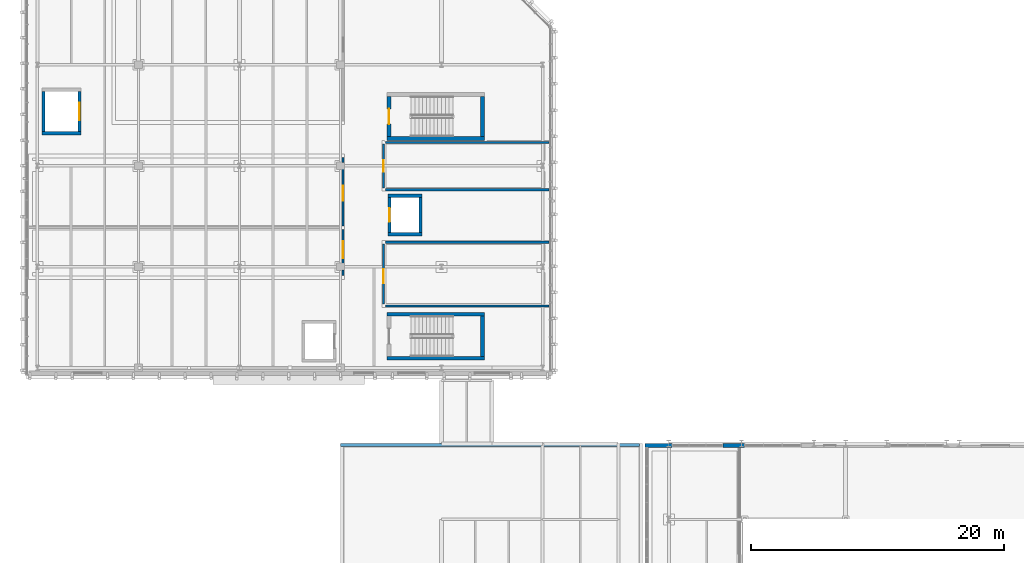
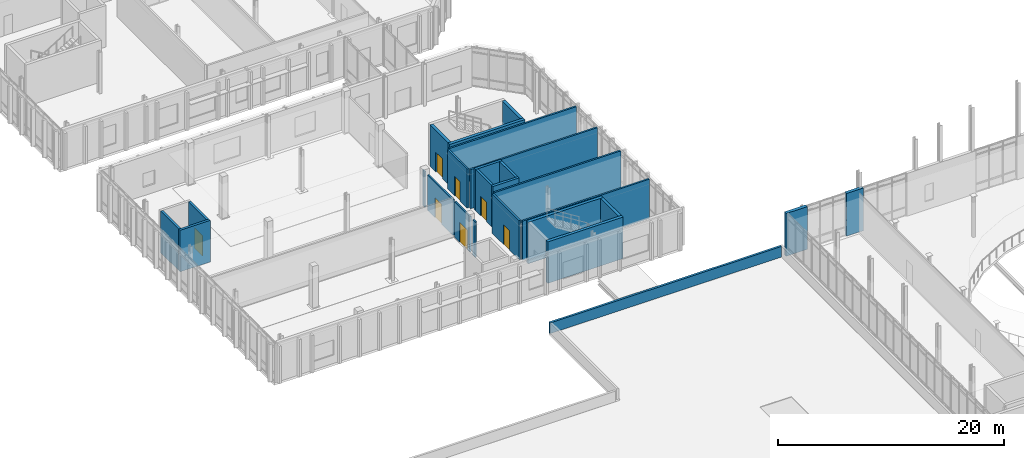
# One storey, part 60 of 86: 26 walls, 7 doors, 7 openings.
"""IFC4 building model written with IfcOpenShell, lengths in metres."""

from ifc_helpers import new_model, si_unit, direction, frame, frame_2d, origin, place, context, subcontext, project, spatial, rectangle, extrude, material, layer, layer_set, type_object, element, fill, save


model = new_model("IFC4")

# Units and contexts
model_context = context("Model", 3, precision=1e-05, world=origin(), true_north=direction((0.0, 1.0)))
body_context = subcontext(model_context, "Body", "Model", "MODEL_VIEW")
ifc_project = project(units=[si_unit("LENGTHUNIT", "METRE"), si_unit("AREAUNIT", "SQUARE_METRE"), si_unit("VOLUMEUNIT", "CUBIC_METRE"), si_unit("PLANEANGLEUNIT", "RADIAN"), si_unit("MASSUNIT", "GRAM", prefix="KILO")], contexts=[model_context])

# Site, building, storey
site_placement = place(None, origin())
site = spatial("IfcSite", under=ifc_project, at=site_placement, CompositionType="ELEMENT")
building_placement = place(site_placement, origin())
building = spatial("IfcBuilding", under=site, at=building_placement, Name="Cymarion Research Institute", CompositionType="ELEMENT")
storey_placement = place(building_placement, frame((0.0, 0.0, 13.800048828125)))
storey = spatial("IfcBuildingStorey", under=building, at=storey_placement, Name="L03", CompositionType="ELEMENT", Elevation=13.800048828125)

# Walls
ifc_material_1 = material(Name="Precast concrete C40/50", Category="concrete")
ifc_layer_1 = layer(ifc_material_1, 0.219970703125)
ifc_layer_set_1 = layer_set([ifc_layer_1], Name="Precast concrete C40/50")
wall_type_1 = type_object("IfcWallType", Name="EXTERIOR WALL EW-PAR220 220MM", PredefinedType="PARAPET", material=ifc_layer_set_1)
wall_1_placement = place(storey_placement, frame((54.280029296875, 41.389892578125, 0.0), z_axis=(0.0, 0.0, 1.0), x_axis=(-1.0, 0.0, 0.0)))
element("IfcWall", 1, at=wall_1_placement, inside=storey, type_object=wall_type_1, Name="L03 ROOF-L03-V3W precast roof parapet #3", PredefinedType="PARAPET", context=body_context, shape_type="SweptSolid", body=[
    extrude(rectangle(XDim=23.679931640625, YDim=0.219970703125, at=frame_2d((11.83984375, 0.0))), origin(), (0.0, 0.0, 1.0), 1.14990234375),
])
ifc_material_2 = material(Name="Concrete C40/50", Category="concrete")
ifc_layer_2 = layer(ifc_material_2, 0.320068359375)
ifc_layer_set_2 = layer_set([ifc_layer_2], Name="Concrete C40/50")
wall_type_2 = type_object("IfcWallType", Name="EXTERIOR WALL EW-RC320 320MM", PredefinedType="SHEAR", material=ifc_layer_set_2)
wall_2_placement = place(storey_placement, frame((62.610107421875, 41.340087890625, 0.0), z_axis=(0.0, 0.0, 1.0), x_axis=(-1.0, 0.0, 0.0)))
element("IfcWall", 2, at=wall_2_placement, inside=storey, type_object=wall_type_2, Name="L03 V2 facade pier wall EW-RC320 #186", PredefinedType="SHEAR", context=body_context, shape_type="SweptSolid", body=[
    extrude(rectangle(XDim=1.722900390625, YDim=0.320068359375, at=frame_2d((0.861328125, 0.0))), origin(), (0.0, 0.0, 1.0), 4.619873046875),
])
wall_3_placement = place(storey_placement, frame((56.860107421875, 41.340087890625, 0.0), z_axis=(0.0, 0.0, 1.0), x_axis=(-1.0, 0.0, 0.0)))
element("IfcWall", 3, at=wall_3_placement, inside=storey, type_object=wall_type_2, Name="L03 V2 facade pier wall EW-RC320 #187", PredefinedType="SHEAR", context=body_context, shape_type="SweptSolid", body=[
    extrude(rectangle(XDim=2.16015625, YDim=0.320068359375, at=frame_2d((1.080078125, 0.0))), origin(), (0.0, 0.0, 1.0), 4.619873046875),
])
ifc_material_3 = material(Name="ISO cleanroom modular flush panel wall", Category="metal")
ifc_layer_3 = layer(ifc_material_3, 0.159912109375)
ifc_layer_set_3 = layer_set([ifc_layer_3], Name="ISO cleanroom modular flush panel wall")
wall_type_3 = type_object("IfcWallType", Name="INTERIOR PARTITION IW-CL160 160MM", PredefinedType="PARTITIONING", material=ifc_layer_set_3)
wall_4_placement = place(storey_placement, frame((30.800048828125, 54.800048828125, 0.0), z_axis=(0.0, 0.0, 1.0), x_axis=(0.0, 1.0, 0.0)))
element("IfcWall", 4, at=wall_4_placement, inside=storey, type_object=wall_type_3, Name="L03 V4 interior partition IW-CL160 #237", PredefinedType="PARTITIONING", context=body_context, shape_type="SweptSolid", body=[
    extrude(rectangle(XDim=0.449951171875, YDim=0.159912109375, at=frame_2d((0.22509765625, 0.0))), origin(), (0.0, 0.0, 1.0), 3.849853515625),
])

# Wall, opening, door
wall_5_placement = place(storey_placement, frame((30.800048828125, 55.75, 0.0), z_axis=(0.0, 0.0, 1.0), x_axis=(0.0, 1.0, 0.0)))
wall_5 = element("IfcWall", 5, at=wall_5_placement, inside=storey, type_object=wall_type_3, Name="L03 V4 interior partition IW-CL160 #238", PredefinedType="PARTITIONING", context=body_context, shape_type="SweptSolid", body=[
    extrude(rectangle(XDim=2.699951171875, YDim=0.159912109375, at=frame_2d((1.35009765625, 0.0))), origin(), (0.0, 0.0, 1.0), 3.849853515625),
])
opening_1_placement = place(wall_5_placement, frame((0.43798828125, 0.0, 0.0)))
opening_1 = element("IfcOpeningElement", 6, at=opening_1_placement, cuts=wall_5, Name="Opening D-L03-159", PredefinedType="OPENING", context=body_context, shape_type="SweptSolid", body=[
    extrude(rectangle(XDim=1.35009765625, YDim=2.14990234375, at=frame_2d((0.675048828125, 1.074951171875))), frame((0.0, 0.08984375, 0.0), z_axis=(0.0, -1.0, 0.0), x_axis=(1.0, 0.0, 0.0)), (0.0, 0.0, 1.0), 0.179931640625),
])
ifc_material_4 = material(Name="Flush acoustic timber/steel door assembly", Category="steel")
door_type_1 = type_object("IfcDoorType", Name="CLEANROOM GOWNING DOOR DT-CL135 1350X2150", OperationType="NOTDEFINED", PredefinedType="DOOR", material=ifc_material_4)
door_1_placement = place(opening_1_placement, frame((1.35009765625, 0.0, 0.0), z_axis=(0.0, 0.0, 1.0), x_axis=(-1.0, 0.0, 0.0)))
door_1 = element("IfcDoor", 7, at=door_1_placement, inside=storey, type_object=door_type_1, Name="L03 Gowning Airlock door D-L03-159", OperationType="SINGLE_SWING_RIGHT", OverallHeight=2.14990234375, OverallWidth=1.35009765625, PredefinedType="DOOR", context=body_context, shape_type="SweptSolid", body=[
    extrude(rectangle(XDim=1.35009765625, YDim=2.14990234375, at=frame_2d((0.675048828125, 1.074951171875))), frame((0.0, 0.02490234375, 0.0), z_axis=(0.0, -1.0, 0.0), x_axis=(1.0, 0.0, 0.0)), (0.0, 0.0, 1.0), 0.050048828125),
])
fill(opening_1, door_1)

wall_6_placement = place(storey_placement, frame((30.800048828125, 58.75, 0.0), z_axis=(0.0, 0.0, 1.0), x_axis=(0.0, 1.0, 0.0)))
wall_6 = element("IfcWall", 8, at=wall_6_placement, inside=storey, type_object=wall_type_3, Name="L03 V4 interior partition IW-CL160 #239", PredefinedType="PARTITIONING", context=body_context, shape_type="SweptSolid", body=[
    extrude(rectangle(XDim=4.5, YDim=0.159912109375, at=frame_2d((2.25, 0.0))), origin(), (0.0, 0.0, 1.0), 3.849853515625),
])
opening_2_placement = place(wall_6_placement, frame((1.97998046875, 0.0, 0.0)))
opening_2 = element("IfcOpeningElement", 9, at=opening_2_placement, cuts=wall_6, Name="Opening D-L03-160", PredefinedType="OPENING", context=body_context, shape_type="SweptSolid", body=[
    extrude(rectangle(XDim=1.199951171875, YDim=2.14990234375, at=frame_2d((0.60009765625, 1.074951171875))), frame((0.0, 0.08984375, 0.0), z_axis=(0.0, -1.0, 0.0), x_axis=(1.0, 0.0, 0.0)), (0.0, 0.0, 1.0), 0.179931640625),
])
door_type_2 = type_object("IfcDoorType", Name="CLEANROOM AIRLOCK INTERLOCK DOOR DT-CL120 1200X2150", OperationType="NOTDEFINED", PredefinedType="DOOR", material=ifc_material_4)
door_2_placement = place(opening_2_placement, origin())
door_2 = element("IfcDoor", 10, at=door_2_placement, inside=storey, type_object=door_type_2, Name="L03 Cleanroom Bay door D-L03-160", OperationType="SINGLE_SWING_LEFT", OverallHeight=2.14990234375, OverallWidth=1.199951171875, PredefinedType="DOOR", context=body_context, shape_type="SweptSolid", body=[
    extrude(rectangle(XDim=1.199951171875, YDim=2.14990234375, at=frame_2d((0.60009765625, 1.074951171875))), frame((0.0, 0.02490234375, 0.0), z_axis=(0.0, -1.0, 0.0), x_axis=(1.0, 0.0, 0.0)), (0.0, 0.0, 1.0), 0.050048828125),
])
fill(opening_2, door_2)

# Walls
wall_7_placement = place(storey_placement, frame((30.800048828125, 63.75, 0.0), z_axis=(0.0, 0.0, 1.0), x_axis=(0.0, 1.0, 0.0)))
element("IfcWall", 11, at=wall_7_placement, inside=storey, type_object=wall_type_3, Name="L03 V4 interior partition IW-CL160 #240", PredefinedType="PARTITIONING", context=body_context, shape_type="SweptSolid", body=[
    extrude(rectangle(XDim=0.39990234375, YDim=0.159912109375, at=frame_2d((0.199951171875, 0.0))), origin(), (0.0, 0.0, 1.0), 3.849853515625),
])
ifc_material_5 = material(Name="Moisture-resistant laboratory partition", Category="gypsum")
ifc_layer_4 = layer(ifc_material_5, 0.179931640625)
ifc_layer_set_4 = layer_set([ifc_layer_4], Name="Moisture-resistant laboratory partition")
wall_type_4 = type_object("IfcWallType", Name="INTERIOR PARTITION IW-LB180 180MM", PredefinedType="PARTITIONING", material=ifc_layer_set_4)
for number, where, z_axis, x_axis, name in (
    (12, (34.14990234375, 52.39990234375, 0.0), (0.0, 0.0, 1.0), (1.0, 0.0, 0.0), "L03 V4 interior partition IW-LB180 #243"),
    (13, (34.14990234375, 57.449951171875, 0.0), (0.0, 0.0, 1.0), (1.0, 0.0, 0.0), "L03 V4 interior partition IW-LB180 #244"),
    (14, (34.14990234375, 61.60009765625, 0.0), (0.0, 0.0, 1.0), (1.0, 0.0, 0.0), "L03 V4 interior partition IW-LB180 #245"),
    (15, (34.14990234375, 65.35009765625, 0.0), (0.0, 0.0, 1.0), (1.0, 0.0, 0.0), "L03 V4 interior partition IW-LB180 #246"),
):
    element("IfcWall", number, at=place(storey_placement, frame(where, z_axis=z_axis, x_axis=x_axis)), inside=storey, type_object=wall_type_4, Name=name, PredefinedType="PARTITIONING", context=body_context, shape_type="SweptSolid", body=[
        extrude(rectangle(XDim=12.965087890625, YDim=0.179931640625, at=frame_2d((6.482421875, 0.0))), origin(), (0.0, 0.0, 1.0), 4.25),
    ])

# Wall, opening, door
wall_8_placement = place(storey_placement, frame((34.0, 52.550048828125, 0.0), z_axis=(0.0, 0.0, 1.0), x_axis=(0.0, 1.0, 0.0)))
wall_8 = element("IfcWall", 16, at=wall_8_placement, inside=storey, type_object=wall_type_4, Name="L03 V4 interior partition IW-LB180 #247", PredefinedType="PARTITIONING", context=body_context, shape_type="SweptSolid", body=[
    extrude(rectangle(XDim=4.77001953125, YDim=0.179931640625, at=frame_2d((2.385009765625, 0.0))), origin(), (0.0, 0.0, 1.0), 4.25),
])
opening_3_placement = place(wall_8_placement, frame((1.652099609375, 0.0, 0.0)))
opening_3 = element("IfcOpeningElement", 17, at=opening_3_placement, cuts=wall_8, Name="Opening D-L03-162", PredefinedType="OPENING", context=body_context, shape_type="SweptSolid", body=[
    extrude(rectangle(XDim=1.10009765625, YDim=2.14990234375, at=frame_2d((0.550048828125, 1.074951171875))), frame((0.0, 0.099853515625, 0.0), z_axis=(0.0, -1.0, 0.0), x_axis=(1.0, 0.0, 0.0)), (0.0, 0.0, 1.0), 0.199951171875),
])
door_type_3 = type_object("IfcDoorType", Name="LABORATORY WIDE SINGLE DOOR DT-LB110 1100X2150", OperationType="NOTDEFINED", PredefinedType="DOOR", material=ifc_material_4)
door_3_placement = place(opening_3_placement, origin())
door_3 = element("IfcDoor", 18, at=door_3_placement, inside=storey, type_object=door_type_3, Name="L03 East Lab Entry door D-L03-162", OperationType="SINGLE_SWING_LEFT", OverallHeight=2.14990234375, OverallWidth=1.10009765625, PredefinedType="DOOR", context=body_context, shape_type="SweptSolid", body=[
    extrude(rectangle(XDim=1.10009765625, YDim=2.14990234375, at=frame_2d((0.550048828125, 1.074951171875))), frame((0.0, 0.02490234375, 0.0), z_axis=(0.0, -1.0, 0.0), x_axis=(1.0, 0.0, 0.0)), (0.0, 0.0, 1.0), 0.050048828125),
])
fill(opening_3, door_3)

wall_9_placement = place(storey_placement, frame((34.0, 61.75, 0.0), z_axis=(0.0, 0.0, 1.0), x_axis=(0.0, 1.0, 0.0)))
wall_9 = element("IfcWall", 19, at=wall_9_placement, inside=storey, type_object=wall_type_4, Name="L03 V4 interior partition IW-LB180 #248", PredefinedType="PARTITIONING", context=body_context, shape_type="SweptSolid", body=[
    extrude(rectangle(XDim=3.469970703125, YDim=0.179931640625, at=frame_2d((1.73486328125, 0.0))), origin(), (0.0, 0.0, 1.0), 4.25),
])
opening_4_placement = place(wall_9_placement, frame((1.284912109375, 0.0, 0.0)))
opening_4 = element("IfcOpeningElement", 20, at=opening_4_placement, cuts=wall_9, Name="Opening D-L03-163", PredefinedType="OPENING", context=body_context, shape_type="SweptSolid", body=[
    extrude(rectangle(XDim=0.89990234375, YDim=2.10009765625, at=frame_2d((0.449951171875, 1.050048828125))), frame((0.0, 0.099853515625, 0.0), z_axis=(0.0, -1.0, 0.0), x_axis=(1.0, 0.0, 0.0)), (0.0, 0.0, 1.0), 0.199951171875),
])
door_type_4 = type_object("IfcDoorType", Name="ACCESSIBLE RESTROOM DOOR DT-WC090 900X2100", OperationType="NOTDEFINED", PredefinedType="DOOR", material=ifc_material_4)
door_4_placement = place(opening_4_placement, origin())
door_4 = element("IfcDoor", 21, at=door_4_placement, inside=storey, type_object=door_type_4, Name="L03 East WC Entry door D-L03-163", OperationType="SINGLE_SWING_RIGHT", OverallHeight=2.10009765625, OverallWidth=0.89990234375, PredefinedType="DOOR", context=body_context, shape_type="SweptSolid", body=[
    extrude(rectangle(XDim=0.89990234375, YDim=2.10009765625, at=frame_2d((0.449951171875, 1.050048828125))), frame((0.0, 0.02490234375, 0.0), z_axis=(0.0, -1.0, 0.0), x_axis=(1.0, 0.0, 0.0)), (0.0, 0.0, 1.0), 0.050048828125),
])
fill(opening_4, door_4)

# Walls
ifc_layer_5 = layer(ifc_material_2, 0.25)
ifc_layer_set_5 = layer_set([ifc_layer_5], Name="Concrete C40/50")
wall_type_5 = type_object("IfcWallType", Name="REINFORCED CONCRETE CORE WALL CW-SH250 250MM", PredefinedType="SHEAR", material=ifc_layer_set_5)
for number, where, z_axis, x_axis, name in (
    (22, (34.35009765625, 58.074951171875, 0.0), (0.0, 0.0, 1.0), (1.0, 0.0, 0.0), "L03 LSH-LP4-L03 south core wall"),
    (23, (37.050048828125, 61.125, 0.0), (0.0, 0.0, 1.0), (-1.0, 0.0, 0.0), "L03 LSH-LP4-L03 north core wall"),
):
    element("IfcWall", number, at=place(storey_placement, frame(where, z_axis=z_axis, x_axis=x_axis)), inside=storey, type_object=wall_type_5, Name=name, PredefinedType="SHEAR", context=body_context, shape_type="SweptSolid", body=[
        extrude(rectangle(XDim=2.699951171875, YDim=0.25, at=frame_2d((1.35009765625, 0.0))), origin(), (0.0, 0.0, 1.0), 4.5),
    ])

# Wall, opening, door
wall_10_placement = place(storey_placement, frame((34.47509765625, 61.0, 0.0), z_axis=(0.0, 0.0, 1.0), x_axis=(0.0, -1.0, 0.0)))
wall_10 = element("IfcWall", 24, at=wall_10_placement, inside=storey, type_object=wall_type_5, Name="L03 LSH-LP4-L03 west core wall", PredefinedType="SHEAR", context=body_context, shape_type="SweptSolid", body=[
    extrude(rectangle(XDim=2.800048828125, YDim=0.25, at=frame_2d((1.39990234375, 0.0))), origin(), (0.0, 0.0, 1.0), 4.5),
])
opening_5_placement = place(wall_10_placement, frame((0.85009765625, 0.0, 0.0)))
opening_5 = element("IfcOpeningElement", 25, at=opening_5_placement, cuts=wall_10, Name="Opening LD-LP4-L03", PredefinedType="OPENING", context=body_context, shape_type="SweptSolid", body=[
    extrude(rectangle(XDim=1.10009765625, YDim=2.14990234375, at=frame_2d((0.550048828125, 1.074951171875))), frame((0.0, 0.135009765625, 0.0), z_axis=(0.0, -1.0, 0.0), x_axis=(1.0, 0.0, 0.0)), (0.0, 0.0, 1.0), 0.27001953125),
])
ifc_material_6 = material(Name="Fire-rated insulated steel door assembly", Category="steel")
door_type_5 = type_object("IfcDoorType", Name="SLIDING LIFT LANDING DOOR DT-LD110 1100X2150", OperationType="DOUBLE_DOOR_SLIDING", PredefinedType="DOOR", material=ifc_material_6)
door_5_placement = place(opening_5_placement, origin())
door_5 = element("IfcDoor", 26, at=door_5_placement, inside=storey, type_object=door_type_5, Name="Lift LP4 landing door L03", OperationType="DOUBLE_DOOR_SLIDING", OverallHeight=2.14990234375, OverallWidth=1.10009765625, PredefinedType="DOOR", context=body_context, shape_type="SweptSolid", body=[
    extrude(rectangle(XDim=1.10009765625, YDim=2.14990234375, at=frame_2d((0.550048828125, 1.074951171875))), frame((0.0, 0.02490234375, 0.0), z_axis=(0.0, -1.0, 0.0), x_axis=(1.0, 0.0, 0.0)), (0.0, 0.0, 1.0), 0.050048828125),
])
fill(opening_5, door_5)

# Walls
wall_11_placement = place(storey_placement, frame((36.925048828125, 58.199951171875, 0.0), z_axis=(0.0, 0.0, 1.0), x_axis=(0.0, 1.0, 0.0)))
element("IfcWall", 27, at=wall_11_placement, inside=storey, type_object=wall_type_5, Name="L03 LSH-LP4-L03 east core wall", PredefinedType="SHEAR", context=body_context, shape_type="SweptSolid", body=[
    extrude(rectangle(XDim=2.800048828125, YDim=0.25, at=frame_2d((1.39990234375, 0.0))), origin(), (0.0, 0.0, 1.0), 4.5),
])
wall_12_placement = place(storey_placement, frame((6.949951171875, 66.074951171875, 0.0), z_axis=(0.0, 0.0, 1.0), x_axis=(1.0, 0.0, 0.0)))
element("IfcWall", 28, at=wall_12_placement, inside=storey, type_object=wall_type_5, Name="L03 LSH-LG1-L03 south core wall", PredefinedType="SHEAR", context=body_context, shape_type="SweptSolid", body=[
    extrude(rectangle(XDim=3.10009765625, YDim=0.25, at=frame_2d((1.550048828125, 0.0))), origin(), (0.0, 0.0, 1.0), 4.5),
])
wall_13_placement = place(storey_placement, frame((7.074951171875, 69.39990234375, 0.0), z_axis=(0.0, 0.0, 1.0), x_axis=(0.0, -1.0, 0.0)))
element("IfcWall", 29, at=wall_13_placement, inside=storey, type_object=wall_type_5, Name="L03 LSH-LG1-L03 west core wall", PredefinedType="SHEAR", context=body_context, shape_type="SweptSolid", body=[
    extrude(rectangle(XDim=3.199951171875, YDim=0.25, at=frame_2d((1.60009765625, 0.0))), origin(), (0.0, 0.0, 1.0), 4.5),
])

# Wall, opening, door
wall_14_placement = place(storey_placement, frame((9.925048828125, 66.199951171875, 0.0), z_axis=(0.0, 0.0, 1.0), x_axis=(0.0, 1.0, 0.0)))
wall_14 = element("IfcWall", 30, at=wall_14_placement, inside=storey, type_object=wall_type_5, Name="L03 LSH-LG1-L03 east core wall", PredefinedType="SHEAR", context=body_context, shape_type="SweptSolid", body=[
    extrude(rectangle(XDim=3.199951171875, YDim=0.25, at=frame_2d((1.60009765625, 0.0))), origin(), (0.0, 0.0, 1.0), 4.5),
])
opening_6_placement = place(wall_14_placement, frame((0.89990234375, 0.0, 0.0)))
opening_6 = element("IfcOpeningElement", 31, at=opening_6_placement, cuts=wall_14, Name="Opening LD-LG1-L03", PredefinedType="OPENING", context=body_context, shape_type="SweptSolid", body=[
    extrude(rectangle(XDim=1.39990234375, YDim=2.199951171875, at=frame_2d((0.699951171875, 1.10009765625))), frame((0.0, 0.135009765625, 0.0), z_axis=(0.0, -1.0, 0.0), x_axis=(1.0, 0.0, 0.0)), (0.0, 0.0, 1.0), 0.27001953125),
])
door_type_6 = type_object("IfcDoorType", Name="GOODS LIFT SLIDING LANDING DOOR DT-LD140 1400X2200", OperationType="DOUBLE_DOOR_SLIDING", PredefinedType="DOOR", material=ifc_material_6)
door_6_placement = place(opening_6_placement, origin())
door_6 = element("IfcDoor", 32, at=door_6_placement, inside=storey, type_object=door_type_6, Name="Lift LG1 landing door L03", OperationType="DOUBLE_DOOR_SLIDING", OverallHeight=2.199951171875, OverallWidth=1.39990234375, PredefinedType="DOOR", context=body_context, shape_type="SweptSolid", body=[
    extrude(rectangle(XDim=1.39990234375, YDim=2.199951171875, at=frame_2d((0.699951171875, 1.10009765625))), frame((0.0, 0.02490234375, 0.0), z_axis=(0.0, -1.0, 0.0), x_axis=(1.0, 0.0, 0.0)), (0.0, 0.0, 1.0), 0.050048828125),
])
fill(opening_6, door_6)

# Walls
ifc_layer_6 = layer(ifc_material_2, 0.300048828125)
ifc_layer_set_6 = layer_set([ifc_layer_6], Name="Concrete C40/50")
wall_type_6 = type_object("IfcWallType", Name="REINFORCED CONCRETE CORE WALL CW-SH300 300MM", PredefinedType="SHEAR", material=ifc_layer_set_6)
for number, where, z_axis, x_axis, name in (
    (33, (34.300048828125, 48.25, 0.0), (0.0, 0.0, 1.0), (1.0, 0.0, 0.0), "L03 SHW-C7-L03 south core wall"),
    (34, (42.0, 51.75, 0.0), (0.0, 0.0, 1.0), (-1.0, 0.0, 0.0), "L03 SHW-C7-L03 north core wall"),
):
    element("IfcWall", number, at=place(storey_placement, frame(where, z_axis=z_axis, x_axis=x_axis)), inside=storey, type_object=wall_type_6, Name=name, PredefinedType="SHEAR", context=body_context, shape_type="SweptSolid", body=[
        extrude(rectangle(XDim=7.699951171875, YDim=0.300048828125, at=frame_2d((3.85009765625, 0.0))), origin(), (0.0, 0.0, 1.0), 4.5),
    ])
wall_15_placement = place(storey_placement, frame((41.85009765625, 48.39990234375, 0.0), z_axis=(0.0, 0.0, 1.0), x_axis=(0.0, 1.0, 0.0)))
element("IfcWall", 35, at=wall_15_placement, inside=storey, type_object=wall_type_6, Name="L03 SHW-C7-L03 east core wall", PredefinedType="SHEAR", context=body_context, shape_type="SweptSolid", body=[
    extrude(rectangle(XDim=3.2001953125, YDim=0.300048828125, at=frame_2d((1.60009765625, 0.0))), origin(), (0.0, 0.0, 1.0), 4.5),
])
wall_16_placement = place(storey_placement, frame((34.300048828125, 65.64990234375, 0.0), z_axis=(0.0, 0.0, 1.0), x_axis=(1.0, 0.0, 0.0)))
element("IfcWall", 36, at=wall_16_placement, inside=storey, type_object=wall_type_6, Name="L03 SHW-C8-L03 south core wall", PredefinedType="SHEAR", context=body_context, shape_type="SweptSolid", body=[
    extrude(rectangle(XDim=7.699951171875, YDim=0.300048828125, at=frame_2d((3.85009765625, 0.0))), origin(), (0.0, 0.0, 1.0), 4.5),
])

# Wall, opening, door
wall_17_placement = place(storey_placement, frame((34.449951171875, 69.0, 0.0), z_axis=(0.0, 0.0, 1.0), x_axis=(0.0, -1.0, 0.0)))
wall_17 = element("IfcWall", 37, at=wall_17_placement, inside=storey, type_object=wall_type_6, Name="L03 SHW-C8-L03 west core wall", PredefinedType="SHEAR", context=body_context, shape_type="SweptSolid", body=[
    extrude(rectangle(XDim=3.199951171875, YDim=0.300048828125, at=frame_2d((1.60009765625, 0.0))), origin(), (0.0, 0.0, 1.0), 4.5),
])
opening_7_placement = place(wall_17_placement, frame((1.0, 0.0, 0.0)))
opening_7 = element("IfcOpeningElement", 38, at=opening_7_placement, cuts=wall_17, Name="Opening FD-L03-ST8", PredefinedType="OPENING", context=body_context, shape_type="SweptSolid", body=[
    extrude(rectangle(XDim=1.199951171875, YDim=2.14990234375, at=frame_2d((0.60009765625, 1.074951171875))), frame((0.0, 0.159912109375, 0.0), z_axis=(0.0, -1.0, 0.0), x_axis=(1.0, 0.0, 0.0)), (0.0, 0.0, 1.0), 0.320068359375),
])
door_type_7 = type_object("IfcDoorType", Name="SMOKE PROOF STAIR FIRE DOOR DT-ST120 1200X2150", OperationType="NOTDEFINED", PredefinedType="DOOR", material=ifc_material_6)
door_7_placement = place(opening_7_placement, origin())
door_7 = element("IfcDoor", 39, at=door_7_placement, inside=storey, type_object=door_type_7, Name="L03 ST8 smoke-proof stair door FD-L03-ST8", OperationType="SINGLE_SWING_RIGHT", OverallHeight=2.14990234375, OverallWidth=1.199951171875, PredefinedType="DOOR", context=body_context, shape_type="SweptSolid", body=[
    extrude(rectangle(XDim=1.199951171875, YDim=2.14990234375, at=frame_2d((0.60009765625, 1.074951171875))), frame((0.0, 0.02490234375, 0.0), z_axis=(0.0, -1.0, 0.0), x_axis=(1.0, 0.0, 0.0)), (0.0, 0.0, 1.0), 0.050048828125),
])
fill(opening_7, door_7)

# Wall
wall_18_placement = place(storey_placement, frame((41.85009765625, 65.800048828125, 0.0), z_axis=(0.0, 0.0, 1.0), x_axis=(0.0, 1.0, 0.0)))
element("IfcWall", 40, at=wall_18_placement, inside=storey, type_object=wall_type_6, Name="L03 SHW-C8-L03 east core wall", PredefinedType="SHEAR", context=body_context, shape_type="SweptSolid", body=[
    extrude(rectangle(XDim=3.199951171875, YDim=0.300048828125, at=frame_2d((1.60009765625, 0.0))), origin(), (0.0, 0.0, 1.0), 4.5),
])

save(model, "model.ifc")
